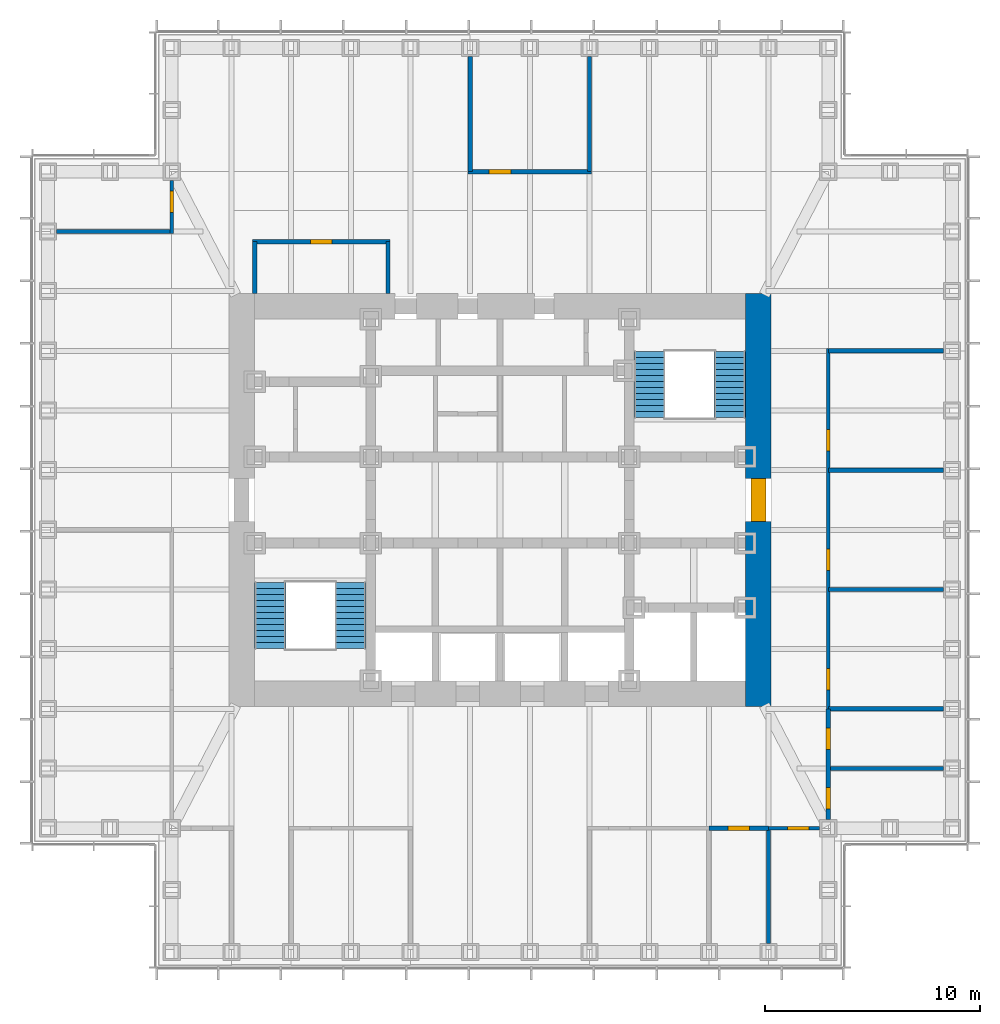
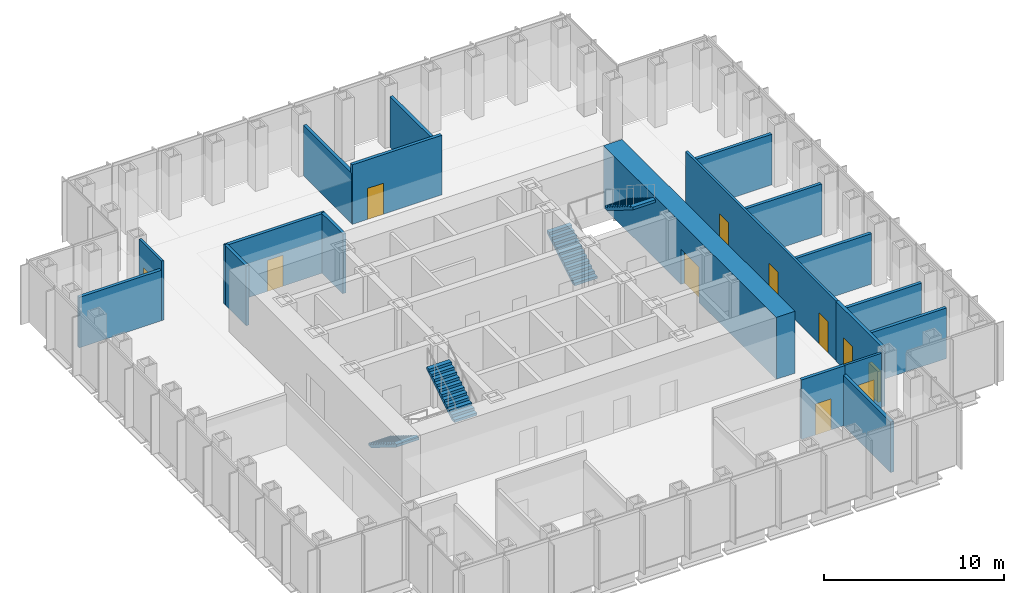
# One storey, part 10 of 16: 19 walls, 11 doors, 4 stair flights, 11 openings, 2 elements without a shape of their own.
"""IFC4 building model written with IfcOpenShell, lengths in metres."""

from ifc_helpers import new_model, si_unit, direction, frame, frame_2d, origin, place, context, subcontext, project, spatial, polyline, rectangle, outline, extrude, material, layer, layer_set, type_object, element, fill, aggregate, save


model = new_model("IFC4")

# Units and contexts
model_context = context("Model", 3, precision=1e-05, world=origin(), true_north=direction((0.0, 1.0)))
body_context = subcontext(model_context, "Body", "Model", "MODEL_VIEW")
ifc_project = project(units=[si_unit("LENGTHUNIT", "METRE"), si_unit("AREAUNIT", "SQUARE_METRE"), si_unit("VOLUMEUNIT", "CUBIC_METRE"), si_unit("PLANEANGLEUNIT", "RADIAN"), si_unit("MASSUNIT", "GRAM", prefix="KILO")], contexts=[model_context])

# Site, building, storey
site_placement = place(None, origin())
site = spatial("IfcSite", under=ifc_project, at=site_placement, CompositionType="ELEMENT")
building_placement = place(site_placement, origin())
building = spatial("IfcBuilding", under=site, at=building_placement, Name="Daluyong Arena Tower", CompositionType="ELEMENT")
storey_placement = place(building_placement, frame((0.0, 0.0, 271.300048828125)))
storey = spatial("IfcBuildingStorey", under=building, at=storey_placement, Name="L61", CompositionType="ELEMENT", Elevation=271.300048828125)

# Wall, opening, door
ifc_material_1 = material(Name="Concrete fc' 60 MPa", Category="concrete")
ifc_layer_1 = layer(ifc_material_1, 1.199951171875)
ifc_layer_set_1 = layer_set([ifc_layer_1], Name="Concrete fc' 60 MPa")
wall_type_1 = type_object("IfcWallType", Name="Core wall 1200", PredefinedType="SHEAR", material=ifc_layer_set_1)
wall_1_placement = place(storey_placement, frame((68.0, 70.39990234375, 0.0), z_axis=(0.0, 0.0, 1.0), x_axis=(0.0, 1.0, 0.0)))
wall_1 = element("IfcWall", 1, at=wall_1_placement, inside=storey, type_object=wall_type_1, Name="core wall at L61", PredefinedType="SHEAR", context=body_context, shape_type="SweptSolid", body=[
    extrude(rectangle(XDim=19.2001953125, YDim=1.199951171875, at=frame_2d((9.60009765625, 0.0))), origin(), (0.0, 0.0, 1.0), 4.199951171875),
])
opening_1_placement = place(wall_1_placement, frame((8.60009765625, 0.0, 0.0)))
opening_1 = element("IfcOpeningElement", 2, at=opening_1_placement, cuts=wall_1, Name="Opening 61020", PredefinedType="OPENING", context=body_context, shape_type="SweptSolid", body=[
    extrude(rectangle(XDim=2.0, YDim=2.39990234375, at=frame_2d((1.0, 1.199951171875))), frame((0.0, 0.60986328125, 0.0), z_axis=(0.0, -1.0, 0.0), x_axis=(1.0, 0.0, 0.0)), (0.0, 0.0, 1.0), 1.219970703125),
])
ifc_material_2 = material(Name="Steel door, fire rated", Category="steel")
door_type_1 = type_object("IfcDoorType", Name="Core lobby double door 2000", OperationType="DOUBLE_DOOR_SINGLE_SWING", PredefinedType="DOOR", material=ifc_material_2)
door_1_placement = place(opening_1_placement, origin())
door_1 = element("IfcDoor", 3, at=door_1_placement, inside=storey, type_object=door_type_1, Name="core lobby door east 61020", OperationType="DOUBLE_DOOR_SINGLE_SWING", OverallHeight=2.39990234375, OverallWidth=2.0, PredefinedType="DOOR", context=body_context, shape_type="SweptSolid", body=[
    extrude(rectangle(XDim=2.0, YDim=2.39990234375, at=frame_2d((1.0, 1.199951171875))), frame((0.0, 0.35009765625, 0.0), z_axis=(0.0, -1.0, 0.0), x_axis=(1.0, 0.0, 0.0)), (0.0, 0.0, 1.0), 0.699951171875),
])
fill(opening_1, door_1)

ifc_material_3 = material(Name="Glazed aluminium partition", Category="aluminium")
ifc_layer_2 = layer(ifc_material_3, 0.14990234375)
ifc_layer_set_2 = layer_set([ifc_layer_2], Name="Glazed aluminium partition")
wall_type_2 = type_object("IfcWallType", Name="Glazed partition 150", PredefinedType="PARTITIONING", material=ifc_layer_set_2)
wall_2_placement = place(storey_placement, frame((68.477294921875, 64.75, 0.0), z_axis=(0.0, 0.0, 1.0), x_axis=(1.0, 0.0, 0.0)))
wall_2 = element("IfcWall", 4, at=wall_2_placement, inside=storey, type_object=wall_type_2, Name="glazed partition at L61", PredefinedType="PARTITIONING", context=body_context, shape_type="SweptSolid", body=[
    extrude(rectangle(XDim=2.372802734375, YDim=0.14990234375, at=frame_2d((1.1865234375, 0.0))), origin(), (0.0, 0.0, 1.0), 4.0400390625),
])
opening_2_placement = place(wall_2_placement, frame((0.886474609375, 0.0, 0.0)))
opening_2 = element("IfcOpeningElement", 5, at=opening_2_placement, cuts=wall_2, Name="Opening 61034", PredefinedType="OPENING", context=body_context, shape_type="SweptSolid", body=[
    extrude(rectangle(XDim=1.0, YDim=2.39990234375, at=frame_2d((0.5, 1.199951171875))), frame((0.0, 0.0849609375, 0.0), z_axis=(0.0, -1.0, 0.0), x_axis=(1.0, 0.0, 0.0)), (0.0, 0.0, 1.0), 0.169921875),
])
ifc_material_4 = material(Name="Glazed aluminium door", Category="aluminium")
door_type_2 = type_object("IfcDoorType", Name="Meeting room glazed door 1000", OperationType="SINGLE_SWING_RIGHT", PredefinedType="DOOR", material=ifc_material_4)
door_2_placement = place(opening_2_placement, origin())
door_2 = element("IfcDoor", 6, at=door_2_placement, inside=storey, type_object=door_type_2, Name="meeting room door 61034", OperationType="SINGLE_SWING_RIGHT", OverallHeight=2.39990234375, OverallWidth=1.0, PredefinedType="DOOR", context=body_context, shape_type="SweptSolid", body=[
    extrude(rectangle(XDim=1.0, YDim=2.39990234375, at=frame_2d((0.5, 1.199951171875))), frame((0.0, 0.07470703125, 0.0), z_axis=(0.0, -1.0, 0.0), x_axis=(1.0, 0.0, 0.0)), (0.0, 0.0, 1.0), 0.1494140625),
])
fill(opening_2, door_2)

wall_3_placement = place(storey_placement, frame((40.75, 92.377197265625, 0.0), z_axis=(0.0, 0.0, 1.0), x_axis=(0.0, 1.0, 0.0)))
wall_3 = element("IfcWall", 7, at=wall_3_placement, inside=storey, type_object=wall_type_2, Name="glazed partition at L61", PredefinedType="PARTITIONING", context=body_context, shape_type="SweptSolid", body=[
    extrude(rectangle(XDim=2.472900390625, YDim=0.14990234375, at=frame_2d((1.236328125, 0.0))), origin(), (0.0, 0.0, 1.0), 4.0400390625),
])
opening_3_placement = place(wall_3_placement, frame((0.986328125, 0.0, 0.0)))
opening_3 = element("IfcOpeningElement", 8, at=opening_3_placement, cuts=wall_3, Name="Opening 61042", PredefinedType="OPENING", context=body_context, shape_type="SweptSolid", body=[
    extrude(rectangle(XDim=1.0, YDim=2.39990234375, at=frame_2d((0.5, 1.199951171875))), frame((0.0, 0.0849609375, 0.0), z_axis=(0.0, -1.0, 0.0), x_axis=(1.0, 0.0, 0.0)), (0.0, 0.0, 1.0), 0.169921875),
])
door_3_placement = place(opening_3_placement, origin())
door_3 = element("IfcDoor", 9, at=door_3_placement, inside=storey, type_object=door_type_2, Name="focus room door 61042", OperationType="SINGLE_SWING_RIGHT", OverallHeight=2.39990234375, OverallWidth=1.0, PredefinedType="DOOR", context=body_context, shape_type="SweptSolid", body=[
    extrude(rectangle(XDim=1.0, YDim=2.39990234375, at=frame_2d((0.5, 1.199951171875))), frame((0.0, 0.07470703125, 0.0), z_axis=(0.0, -1.0, 0.0), x_axis=(1.0, 0.0, 0.0)), (0.0, 0.0, 1.0), 0.1494140625),
])
fill(opening_3, door_3)

# Wall, openings, doors
wall_4_placement = place(storey_placement, frame((71.25, 70.29541015625, 0.0), z_axis=(0.0, 0.0, 1.0), x_axis=(0.0, 1.0, 0.0)))
wall_4 = element("IfcWall", 10, at=wall_4_placement, inside=storey, type_object=wall_type_2, Name="glazed partition at L61", PredefinedType="PARTITIONING", context=body_context, shape_type="SweptSolid", body=[
    extrude(rectangle(XDim=16.736328125, YDim=0.14990234375, at=frame_2d((8.3681640625, 0.0))), origin(), (0.0, 0.0, 1.0), 4.0400390625),
])
opening_4_placement = place(wall_4_placement, frame((0.886474609375, 0.0, 0.0)))
opening_4 = element("IfcOpeningElement", 11, at=opening_4_placement, cuts=wall_4, Name="Opening 61037", PredefinedType="OPENING", context=body_context, shape_type="SweptSolid", body=[
    extrude(rectangle(XDim=1.0, YDim=2.10009765625, at=frame_2d((0.5, 1.050048828125))), frame((0.0, 0.0849609375, 0.0), z_axis=(0.0, -1.0, 0.0), x_axis=(1.0, 0.0, 0.0)), (0.0, 0.0, 1.0), 0.169921875),
])
opening_5_placement = place(wall_4_placement, frame((6.431884765625, 0.0, 0.0)))
opening_5 = element("IfcOpeningElement", 12, at=opening_5_placement, cuts=wall_4, Name="Opening 61038", PredefinedType="OPENING", context=body_context, shape_type="SweptSolid", body=[
    extrude(rectangle(XDim=1.0, YDim=2.10009765625, at=frame_2d((0.5, 1.050048828125))), frame((0.0, 0.0849609375, 0.0), z_axis=(0.0, -1.0, 0.0), x_axis=(1.0, 0.0, 0.0)), (0.0, 0.0, 1.0), 0.169921875),
])
opening_6_placement = place(wall_4_placement, frame((11.977294921875, 0.0, 0.0)))
opening_6 = element("IfcOpeningElement", 13, at=opening_6_placement, cuts=wall_4, Name="Opening 61039", PredefinedType="OPENING", context=body_context, shape_type="SweptSolid", body=[
    extrude(rectangle(XDim=1.0, YDim=2.10009765625, at=frame_2d((0.5, 1.050048828125))), frame((0.0, 0.0849609375, 0.0), z_axis=(0.0, -1.0, 0.0), x_axis=(1.0, 0.0, 0.0)), (0.0, 0.0, 1.0), 0.169921875),
])
ifc_material_5 = material(Name="Timber door", Category="wood")
door_type_3 = type_object("IfcDoorType", Name="Room door 1000", OperationType="SINGLE_SWING_LEFT", PredefinedType="DOOR", material=ifc_material_5)
door_4_placement = place(opening_4_placement, origin())
door_4 = element("IfcDoor", 14, at=door_4_placement, inside=storey, type_object=door_type_3, Name="executive office door 61037", OperationType="SINGLE_SWING_LEFT", OverallHeight=2.10009765625, OverallWidth=1.0, PredefinedType="DOOR", context=body_context, shape_type="SweptSolid", body=[
    extrude(rectangle(XDim=1.0, YDim=2.10009765625, at=frame_2d((0.5, 1.050048828125))), frame((0.0, 0.07470703125, 0.0), z_axis=(0.0, -1.0, 0.0), x_axis=(1.0, 0.0, 0.0)), (0.0, 0.0, 1.0), 0.1494140625),
])
fill(opening_4, door_4)
door_5_placement = place(opening_5_placement, origin())
door_5 = element("IfcDoor", 15, at=door_5_placement, inside=storey, type_object=door_type_3, Name="executive office door 61038", OperationType="SINGLE_SWING_LEFT", OverallHeight=2.10009765625, OverallWidth=1.0, PredefinedType="DOOR", context=body_context, shape_type="SweptSolid", body=[
    extrude(rectangle(XDim=1.0, YDim=2.10009765625, at=frame_2d((0.5, 1.050048828125))), frame((0.0, 0.07470703125, 0.0), z_axis=(0.0, -1.0, 0.0), x_axis=(1.0, 0.0, 0.0)), (0.0, 0.0, 1.0), 0.1494140625),
])
fill(opening_5, door_5)
door_6_placement = place(opening_6_placement, origin())
door_6 = element("IfcDoor", 16, at=door_6_placement, inside=storey, type_object=door_type_3, Name="executive office door 61039", OperationType="SINGLE_SWING_LEFT", OverallHeight=2.10009765625, OverallWidth=1.0, PredefinedType="DOOR", context=body_context, shape_type="SweptSolid", body=[
    extrude(rectangle(XDim=1.0, YDim=2.10009765625, at=frame_2d((0.5, 1.050048828125))), frame((0.0, 0.07470703125, 0.0), z_axis=(0.0, -1.0, 0.0), x_axis=(1.0, 0.0, 0.0)), (0.0, 0.0, 1.0), 0.1494140625),
])
fill(opening_6, door_6)

# Walls
ifc_material_6 = material(Name="Concrete block partition", Category="concrete")
ifc_layer_3 = layer(ifc_material_6, 0.199951171875)
ifc_layer_set_3 = layer_set([ifc_layer_3], Name="Concrete block partition")
wall_type_3 = type_object("IfcWallType", Name="Partition 200", PredefinedType="PARTITIONING", material=ifc_layer_set_3)
for number, where, z_axis, x_axis, name in (
    (17, (68.477294921875, 59.39990234375, 0.0), (0.0, 0.0, 1.0), (0.0, 1.0, 0.0), "partition at L61"),
    (18, (71.25, 67.522705078125, 0.0), (0.0, 0.0, 1.0), (1.0, 0.0, 0.0), "partition at L61"),
    (19, (71.25, 70.29541015625, 0.0), (0.0, 0.0, 1.0), (1.0, 0.0, 0.0), "partition at L61"),
    (20, (71.25, 75.8408203125, 0.0), (0.0, 0.0, 1.0), (1.0, 0.0, 0.0), "partition at L61"),
    (21, (71.25, 81.386474609375, 0.0), (0.0, 0.0, 1.0), (1.0, 0.0, 0.0), "partition at L61"),
    (22, (71.25, 86.931884765625, 0.0), (0.0, 0.0, 1.0), (1.0, 0.0, 0.0), "partition at L61"),
    (23, (54.613525390625, 95.25, 0.0), (0.0, 0.0, 1.0), (0.0, 1.0, 0.0), "partition at L61"),
    (24, (60.1591796875, 95.25, 0.0), (0.0, 0.0, 1.0), (0.0, 1.0, 0.0), "partition at L61"),
    (25, (35.39990234375, 92.477294921875, 0.0), (0.0, 0.0, 1.0), (1.0, 0.0, 0.0), "partition at L61"),
):
    element("IfcWall", number, at=place(storey_placement, frame(where, z_axis=z_axis, x_axis=x_axis)), inside=storey, type_object=wall_type_3, Name=name, PredefinedType="PARTITIONING", context=body_context, shape_type="SweptSolid", body=[
        extrude(rectangle(XDim=5.35009765625, YDim=0.199951171875, at=frame_2d((2.675048828125, 0.0))), origin(), (0.0, 0.0, 1.0), 3.427734375),
    ])
for number, where, z_axis, x_axis, name in (
    (26, (44.60009765625, 89.60009765625, 0.0), (0.0, 0.0, 1.0), (0.0, 1.0, 0.0), "partition at L61"),
    (27, (50.800048828125, 89.60009765625, 0.0), (0.0, 0.0, 1.0), (0.0, 1.0, 0.0), "partition at L61"),
):
    element("IfcWall", number, at=place(storey_placement, frame(where, z_axis=z_axis, x_axis=x_axis)), inside=storey, type_object=wall_type_3, Name=name, PredefinedType="PARTITIONING", context=body_context, shape_type="SweptSolid", body=[
        extrude(rectangle(XDim=2.39990234375, YDim=0.199951171875, at=frame_2d((1.199951171875, 0.0))), origin(), (0.0, 0.0, 1.0), 4.0400390625),
    ])

# Wall, opening, door
wall_5_placement = place(storey_placement, frame((65.70458984375, 64.75, 0.0), z_axis=(0.0, 0.0, 1.0), x_axis=(1.0, 0.0, 0.0)))
wall_5 = element("IfcWall", 28, at=wall_5_placement, inside=storey, type_object=wall_type_3, Name="partition at L61", PredefinedType="PARTITIONING", context=body_context, shape_type="SweptSolid", body=[
    extrude(rectangle(XDim=2.772705078125, YDim=0.199951171875, at=frame_2d((1.38623046875, 0.0))), origin(), (0.0, 0.0, 1.0), 4.0400390625),
])
opening_7_placement = place(wall_5_placement, frame((0.886474609375, 0.0, 0.0)))
opening_7 = element("IfcOpeningElement", 29, at=opening_7_placement, cuts=wall_5, Name="Opening 61033", PredefinedType="OPENING", context=body_context, shape_type="SweptSolid", body=[
    extrude(rectangle(XDim=1.0, YDim=2.10009765625, at=frame_2d((0.5, 1.050048828125))), frame((0.0, 0.10986328125, 0.0), z_axis=(0.0, -1.0, 0.0), x_axis=(1.0, 0.0, 0.0)), (0.0, 0.0, 1.0), 0.219970703125),
])
door_7_placement = place(opening_7_placement, origin())
door_7 = element("IfcDoor", 30, at=door_7_placement, inside=storey, type_object=door_type_3, Name="wellness room door 61033", OperationType="SINGLE_SWING_LEFT", OverallHeight=2.10009765625, OverallWidth=1.0, PredefinedType="DOOR", context=body_context, shape_type="SweptSolid", body=[
    extrude(rectangle(XDim=1.0, YDim=2.10009765625, at=frame_2d((0.5, 1.050048828125))), frame((0.0, 0.099609375, 0.0), z_axis=(0.0, -1.0, 0.0), x_axis=(1.0, 0.0, 0.0)), (0.0, 0.0, 1.0), 0.199462890625),
])
fill(opening_7, door_7)

wall_6_placement = place(storey_placement, frame((44.5, 92.0, 0.0), z_axis=(0.0, 0.0, 1.0), x_axis=(1.0, 0.0, 0.0)))
wall_6 = element("IfcWall", 31, at=wall_6_placement, inside=storey, type_object=wall_type_3, Name="partition at L61", PredefinedType="PARTITIONING", context=body_context, shape_type="SweptSolid", body=[
    extrude(rectangle(XDim=6.39990234375, YDim=0.199951171875, at=frame_2d((3.199951171875, 0.0))), origin(), (0.0, 0.0, 1.0), 4.0400390625),
])
opening_8_placement = place(wall_6_placement, frame((2.699951171875, 0.0, 0.0)))
opening_8 = element("IfcOpeningElement", 32, at=opening_8_placement, cuts=wall_6, Name="Opening 61043", PredefinedType="OPENING", context=body_context, shape_type="SweptSolid", body=[
    extrude(rectangle(XDim=1.0, YDim=2.10009765625, at=frame_2d((0.5, 1.050048828125))), frame((0.0, 0.10986328125, 0.0), z_axis=(0.0, -1.0, 0.0), x_axis=(1.0, 0.0, 0.0)), (0.0, 0.0, 1.0), 0.219970703125),
])
door_8_placement = place(opening_8_placement, origin())
door_8 = element("IfcDoor", 33, at=door_8_placement, inside=storey, type_object=door_type_3, Name="project room door 61043", OperationType="SINGLE_SWING_LEFT", OverallHeight=2.10009765625, OverallWidth=1.0, PredefinedType="DOOR", context=body_context, shape_type="SweptSolid", body=[
    extrude(rectangle(XDim=1.0, YDim=2.10009765625, at=frame_2d((0.5, 1.050048828125))), frame((0.0, 0.099609375, 0.0), z_axis=(0.0, -1.0, 0.0), x_axis=(1.0, 0.0, 0.0)), (0.0, 0.0, 1.0), 0.199462890625),
])
fill(opening_8, door_8)

wall_7_placement = place(storey_placement, frame((54.513671875, 95.25, 0.0), z_axis=(0.0, 0.0, 1.0), x_axis=(1.0, 0.0, 0.0)))
wall_7 = element("IfcWall", 34, at=wall_7_placement, inside=storey, type_object=wall_type_3, Name="partition at L61", PredefinedType="PARTITIONING", context=body_context, shape_type="SweptSolid", body=[
    extrude(rectangle(XDim=5.745361328125, YDim=0.199951171875, at=frame_2d((2.87255859375, 0.0))), origin(), (0.0, 0.0, 1.0), 4.0400390625),
])
opening_9_placement = place(wall_7_placement, frame((0.986328125, 0.0, 0.0)))
opening_9 = element("IfcOpeningElement", 35, at=opening_9_placement, cuts=wall_7, Name="Opening 61040", PredefinedType="OPENING", context=body_context, shape_type="SweptSolid", body=[
    extrude(rectangle(XDim=1.0, YDim=2.10009765625, at=frame_2d((0.5, 1.050048828125))), frame((0.0, 0.10986328125, 0.0), z_axis=(0.0, -1.0, 0.0), x_axis=(1.0, 0.0, 0.0)), (0.0, 0.0, 1.0), 0.219970703125),
])
door_9_placement = place(opening_9_placement, origin())
door_9 = element("IfcDoor", 36, at=door_9_placement, inside=storey, type_object=door_type_3, Name="pantry door 61040", OperationType="SINGLE_SWING_LEFT", OverallHeight=2.10009765625, OverallWidth=1.0, PredefinedType="DOOR", context=body_context, shape_type="SweptSolid", body=[
    extrude(rectangle(XDim=1.0, YDim=2.10009765625, at=frame_2d((0.5, 1.050048828125))), frame((0.0, 0.099609375, 0.0), z_axis=(0.0, -1.0, 0.0), x_axis=(1.0, 0.0, 0.0)), (0.0, 0.0, 1.0), 0.199462890625),
])
fill(opening_9, door_9)

# Wall, openings, doors
wall_8_placement = place(storey_placement, frame((71.25, 65.14990234375, 0.0), z_axis=(0.0, 0.0, 1.0), x_axis=(0.0, 1.0, 0.0)))
wall_8 = element("IfcWall", 37, at=wall_8_placement, inside=storey, type_object=wall_type_3, Name="partition at L61", PredefinedType="PARTITIONING", context=body_context, shape_type="SweptSolid", body=[
    extrude(rectangle(XDim=5.1455078125, YDim=0.199951171875, at=frame_2d((2.57275390625, 0.0))), origin(), (0.0, 0.0, 1.0), 4.0400390625),
])
opening_10_placement = place(wall_8_placement, frame((0.486328125, 0.0, 0.0)))
opening_10 = element("IfcOpeningElement", 38, at=opening_10_placement, cuts=wall_8, Name="Opening 61035", PredefinedType="OPENING", context=body_context, shape_type="SweptSolid", body=[
    extrude(rectangle(XDim=1.0, YDim=2.10009765625, at=frame_2d((0.5, 1.050048828125))), frame((0.0, 0.10986328125, 0.0), z_axis=(0.0, -1.0, 0.0), x_axis=(1.0, 0.0, 0.0)), (0.0, 0.0, 1.0), 0.219970703125),
])
opening_11_placement = place(wall_8_placement, frame((3.259033203125, 0.0, 0.0)))
opening_11 = element("IfcOpeningElement", 39, at=opening_11_placement, cuts=wall_8, Name="Opening 61036", PredefinedType="OPENING", context=body_context, shape_type="SweptSolid", body=[
    extrude(rectangle(XDim=1.0, YDim=2.10009765625, at=frame_2d((0.5, 1.050048828125))), frame((0.0, 0.10986328125, 0.0), z_axis=(0.0, -1.0, 0.0), x_axis=(1.0, 0.0, 0.0)), (0.0, 0.0, 1.0), 0.219970703125),
])
door_10_placement = place(opening_10_placement, origin())
door_10 = element("IfcDoor", 40, at=door_10_placement, inside=storey, type_object=door_type_3, Name="wellness room door 61035", OperationType="SINGLE_SWING_LEFT", OverallHeight=2.10009765625, OverallWidth=1.0, PredefinedType="DOOR", context=body_context, shape_type="SweptSolid", body=[
    extrude(rectangle(XDim=1.0, YDim=2.10009765625, at=frame_2d((0.5, 1.050048828125))), frame((0.0, 0.099609375, 0.0), z_axis=(0.0, -1.0, 0.0), x_axis=(1.0, 0.0, 0.0)), (0.0, 0.0, 1.0), 0.199462890625),
])
fill(opening_10, door_10)
door_11_placement = place(opening_11_placement, origin())
door_11 = element("IfcDoor", 41, at=door_11_placement, inside=storey, type_object=door_type_3, Name="quiet room door 61036", OperationType="SINGLE_SWING_LEFT", OverallHeight=2.10009765625, OverallWidth=1.0, PredefinedType="DOOR", context=body_context, shape_type="SweptSolid", body=[
    extrude(rectangle(XDim=1.0, YDim=2.10009765625, at=frame_2d((0.5, 1.050048828125))), frame((0.0, 0.099609375, 0.0), z_axis=(0.0, -1.0, 0.0), x_axis=(1.0, 0.0, 0.0)), (0.0, 0.0, 1.0), 0.199462890625),
])
fill(opening_11, door_11)

# Stair, stair flights
ifc_material_7 = material(Name="Concrete fc' 35 MPa", Category="concrete")
stair_type = type_object("IfcStairType", Name="Core exit stair", PredefinedType="HALF_TURN_STAIR", material=ifc_material_7)
stair_1_placement = place(storey_placement, origin())
stair_1 = element("IfcStair", 42, at=stair_1_placement, inside=storey, type_object=stair_type, Name="exit stair A L61", PredefinedType="HALF_TURN_STAIR")
ifc_material_8 = material(Name="Concrete fc' 35 MPa", Category="concrete")
stair_flight_type = type_object("IfcStairFlightType", Name="Core stair flight", PredefinedType="STRAIGHT", material=ifc_material_8)
stair_flight_1_placement = place(storey_placement, frame((45.324951171875, 76.175048828125, 0.0), z_axis=(0.0, 0.0, 1.0), x_axis=(0.0, -1.0, 0.0)))
stair_flight_1 = element("IfcStairFlight", 43, at=stair_flight_1_placement, type_object=stair_flight_type, Name="STA flight 1", NumberOfRisers=12, NumberOfTreads=11, PredefinedType="STRAIGHT", RiserHeight=0.175, TreadLength=0.28, context=body_context, shape_type="SweptSolid", body=[
    extrude(outline(polyline([(0.0, 0.0), (0.0, 0.175048828125), (0.280029296875, 0.175048828125), (0.280029296875, 0.35009765625), (0.56005859375, 0.35009765625), (0.56005859375, 0.52490234375), (0.840087890625, 0.52490234375), (0.840087890625, 0.699951171875), (1.1201171875, 0.699951171875), (1.1201171875, 0.875), (1.39990234375, 0.875), (1.39990234375, 1.050048828125), (1.679931640625, 1.050048828125), (1.679931640625, 1.22509765625), (1.9599609375, 1.22509765625), (1.9599609375, 1.39990234375), (2.239990234375, 1.39990234375), (2.239990234375, 1.574951171875), (2.52001953125, 1.574951171875), (2.52001953125, 1.75), (2.800048828125, 1.75), (2.800048828125, 1.925048828125), (3.080078125, 1.925048828125), (3.080078125, 2.10009765625), (3.080078125, 1.748291015625), (0.28271484375, 0.0), (0.0, 0.0)])), frame((0.0, 0.72509765625, 0.0), z_axis=(0.0, -1.0, 0.0), x_axis=(1.0, 0.0, 0.0)), (0.0, 0.0, 1.0), 1.449951171875),
])
stair_flight_2_placement = place(storey_placement, frame((49.050048828125, 73.094970703125, 2.099853515625), z_axis=(0.0, 0.0, 1.0), x_axis=(0.0, 1.0, 0.0)))
stair_flight_2 = element("IfcStairFlight", 44, at=stair_flight_2_placement, type_object=stair_flight_type, Name="STA flight 2", NumberOfRisers=12, NumberOfTreads=11, PredefinedType="STRAIGHT", RiserHeight=0.175, TreadLength=0.28, context=body_context, shape_type="SweptSolid", body=[
    extrude(outline(polyline([(0.0, 0.0), (0.0, 0.175048828125), (0.280029296875, 0.175048828125), (0.280029296875, 0.35009765625), (0.56005859375, 0.35009765625), (0.56005859375, 0.52490234375), (0.840087890625, 0.52490234375), (0.840087890625, 0.699951171875), (1.1201171875, 0.699951171875), (1.1201171875, 0.875), (1.39990234375, 0.875), (1.39990234375, 1.050048828125), (1.679931640625, 1.050048828125), (1.679931640625, 1.22509765625), (1.9599609375, 1.22509765625), (1.9599609375, 1.39990234375), (2.239990234375, 1.39990234375), (2.239990234375, 1.574951171875), (2.52001953125, 1.574951171875), (2.52001953125, 1.75), (2.800048828125, 1.75), (2.800048828125, 1.925048828125), (3.080078125, 1.925048828125), (3.080078125, 2.10009765625), (3.080078125, 1.748291015625), (0.28271484375, 0.0), (0.0, 0.0)])), frame((0.0, 0.72509765625, 0.0), z_axis=(0.0, -1.0, 0.0), x_axis=(1.0, 0.0, 0.0)), (0.0, 0.0, 1.0), 1.449951171875),
])
aggregate(stair_1, [stair_flight_1, stair_flight_2])

stair_2_placement = place(storey_placement, origin())
stair_2 = element("IfcStair", 45, at=stair_2_placement, inside=storey, type_object=stair_type, Name="exit stair B L61", PredefinedType="HALF_TURN_STAIR")
stair_flight_3_placement = place(storey_placement, frame((62.949951171875, 83.824951171875, 0.0), z_axis=(0.0, 0.0, 1.0), x_axis=(0.0, 1.0, 0.0)))
stair_flight_3 = element("IfcStairFlight", 46, at=stair_flight_3_placement, type_object=stair_flight_type, Name="STB flight 1", NumberOfRisers=12, NumberOfTreads=11, PredefinedType="STRAIGHT", RiserHeight=0.175, TreadLength=0.28, context=body_context, shape_type="SweptSolid", body=[
    extrude(outline(polyline([(0.0, 0.0), (0.0, 0.175048828125), (0.280029296875, 0.175048828125), (0.280029296875, 0.35009765625), (0.56005859375, 0.35009765625), (0.56005859375, 0.52490234375), (0.840087890625, 0.52490234375), (0.840087890625, 0.699951171875), (1.1201171875, 0.699951171875), (1.1201171875, 0.875), (1.39990234375, 0.875), (1.39990234375, 1.050048828125), (1.679931640625, 1.050048828125), (1.679931640625, 1.22509765625), (1.9599609375, 1.22509765625), (1.9599609375, 1.39990234375), (2.239990234375, 1.39990234375), (2.239990234375, 1.574951171875), (2.52001953125, 1.574951171875), (2.52001953125, 1.75), (2.800048828125, 1.75), (2.800048828125, 1.925048828125), (3.080078125, 1.925048828125), (3.080078125, 2.10009765625), (3.080078125, 1.748291015625), (0.28271484375, 0.0), (0.0, 0.0)])), frame((0.0, 0.72509765625, 0.0), z_axis=(0.0, -1.0, 0.0), x_axis=(1.0, 0.0, 0.0)), (0.0, 0.0, 1.0), 1.449951171875),
])
stair_flight_4_placement = place(storey_placement, frame((66.675048828125, 86.905029296875, 2.099853515625), z_axis=(0.0, 0.0, 1.0), x_axis=(0.0, -1.0, 0.0)))
stair_flight_4 = element("IfcStairFlight", 47, at=stair_flight_4_placement, type_object=stair_flight_type, Name="STB flight 2", NumberOfRisers=12, NumberOfTreads=11, PredefinedType="STRAIGHT", RiserHeight=0.175, TreadLength=0.28, context=body_context, shape_type="SweptSolid", body=[
    extrude(outline(polyline([(0.0, 0.0), (0.0, 0.175048828125), (0.280029296875, 0.175048828125), (0.280029296875, 0.35009765625), (0.56005859375, 0.35009765625), (0.56005859375, 0.52490234375), (0.840087890625, 0.52490234375), (0.840087890625, 0.699951171875), (1.1201171875, 0.699951171875), (1.1201171875, 0.875), (1.39990234375, 0.875), (1.39990234375, 1.050048828125), (1.679931640625, 1.050048828125), (1.679931640625, 1.22509765625), (1.9599609375, 1.22509765625), (1.9599609375, 1.39990234375), (2.239990234375, 1.39990234375), (2.239990234375, 1.574951171875), (2.52001953125, 1.574951171875), (2.52001953125, 1.75), (2.800048828125, 1.75), (2.800048828125, 1.925048828125), (3.080078125, 1.925048828125), (3.080078125, 2.10009765625), (3.080078125, 1.748291015625), (0.28271484375, 0.0), (0.0, 0.0)])), frame((0.0, 0.72509765625, 0.0), z_axis=(0.0, -1.0, 0.0), x_axis=(1.0, 0.0, 0.0)), (0.0, 0.0, 1.0), 1.449951171875),
])
aggregate(stair_2, [stair_flight_3, stair_flight_4])

save(model, "model.ifc")
